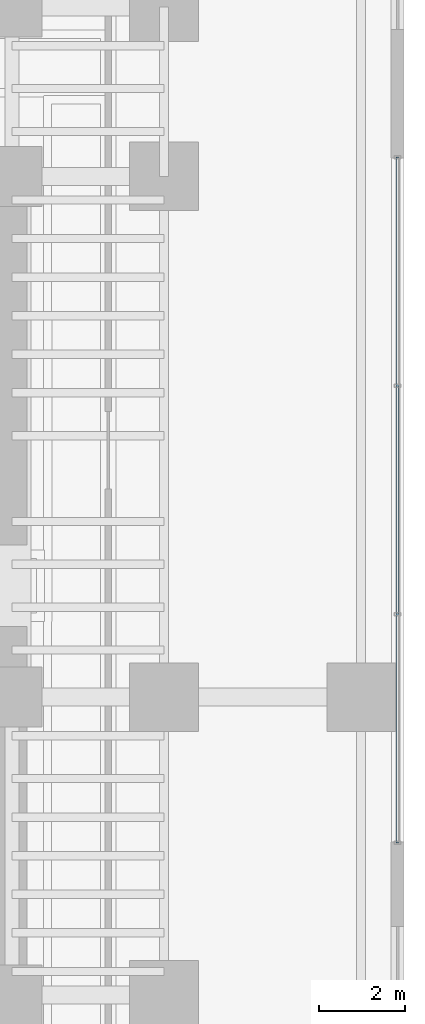
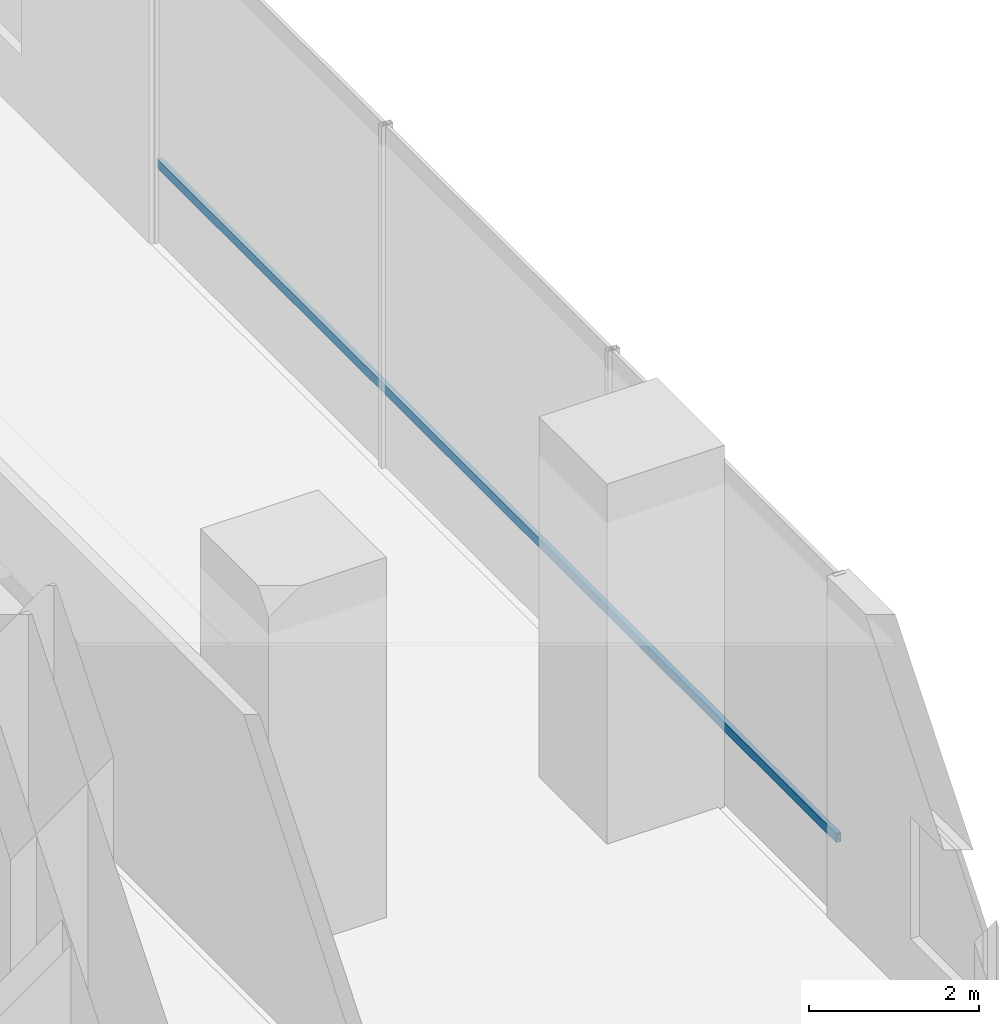
# One storey, part 21 of 39: 1 member, 1 element without a shape of its own.
"""IFC4 building model written with IfcOpenShell, lengths in metres."""

from ifc_helpers import new_model, si_unit, direction, frame, origin, origin_2d, place, context, subcontext, project, spatial, hollow_rectangle, extrude, source, transform, mapped, material, material_profile, profile_set, type_object, element, aggregate, save


model = new_model("IFC4")

# Units and contexts
model_context = context("Model", 3, precision=1e-05, world=origin(), true_north=direction((0.0, 1.0)))
body_context = subcontext(model_context, "Body", "Model", "MODEL_VIEW")
ifc_project = project(units=[si_unit("LENGTHUNIT", "METRE"), si_unit("AREAUNIT", "SQUARE_METRE"), si_unit("VOLUMEUNIT", "CUBIC_METRE"), si_unit("PLANEANGLEUNIT", "RADIAN"), si_unit("MASSUNIT", "GRAM", prefix="KILO")], contexts=[model_context])

# Site, building, storey
site_placement = place(None, origin())
site = spatial("IfcSite", under=ifc_project, at=site_placement, CompositionType="ELEMENT")
building_placement = place(site_placement, origin())
building = spatial("IfcBuilding", under=site, at=building_placement, Name="Valdorenza Pilgrim Sanctuary Tower", CompositionType="ELEMENT")
storey_placement = place(building_placement, frame((0.0, 0.0, 5.199951171875)))
storey = spatial("IfcBuildingStorey", under=building, at=storey_placement, Name="L01", CompositionType="ELEMENT", Elevation=5.199951171875)

# Curtain wall, member
ifc_material_1 = material(Name="Curtain-wall IGU glazing", Category="glass")
curtain_wall_type = type_object("IfcCurtainWallType", Name="CW-SYS-01", PredefinedType="NOTDEFINED", material=ifc_material_1)
curtain_wall_placement = place(storey_placement, origin())
curtain_wall = element("IfcCurtainWall", 1, at=curtain_wall_placement, inside=storey, type_object=curtain_wall_type, Name="L01 Curtain Wall CW-POD-L01-EE", PredefinedType="NOTDEFINED")
ifc_material_2 = material(Name="Anodised aluminium AW-6060", Category="aluminium")
ifc_material_profile = material_profile(ifc_material_2, hollow_rectangle(XDim=0.06494140625, YDim=0.1298828125, WallThickness=0.00341796875, at=origin_2d()), Name="ALU-T 130x65x3.5")
ifc_profile_set = profile_set([ifc_material_profile], Name="Anodised aluminium AW-6060")
member_type = type_object("IfcMemberType", Name="CW-TRN-01", PredefinedType="USERDEFINED", material=ifc_profile_set)
shared_shape = source(origin(), body_context, "Body", "SweptSolid", [
    extrude(hollow_rectangle(XDim=0.06494140625, YDim=0.1298828125, WallThickness=0.00341796875, at=origin_2d()), origin(), (0.0, 0.0, 1.0), 16.0),
])
member_placement = place(storey_placement, frame((33.85009765625, -6.0, 1.1201171875), z_axis=(0.0, 1.0, 0.0), x_axis=(-1.0, 0.0, 0.0)))
member = element("IfcMember", 2, at=member_placement, type_object=member_type, Name="CW-POD-L01-EE Transom 1", ObjectType="TRANSOM", PredefinedType="USERDEFINED", context=body_context, shape_type="MappedRepresentation", body=[
    mapped(shared_shape, transform((0.0, 0.0, 0.0), x_axis=(1.0, 0.0, 0.0), y_axis=(0.0, 1.0, 0.0), z_axis=(0.0, 0.0, 1.0), scale=1.0)),
])
aggregate(curtain_wall, [member])

save(model, "model.ifc")
